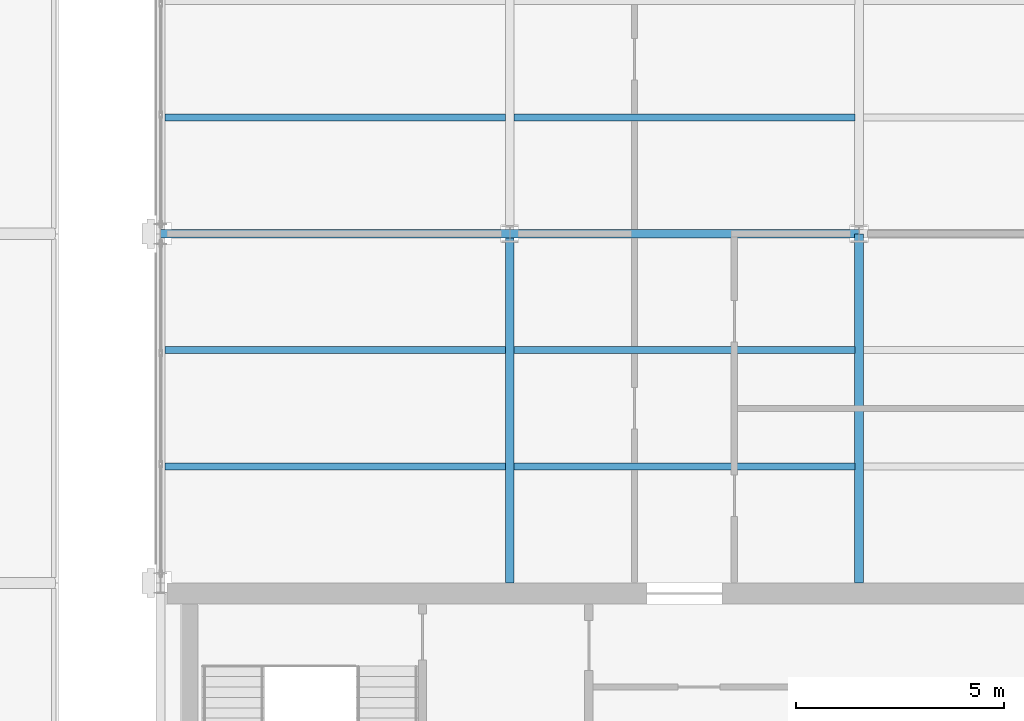
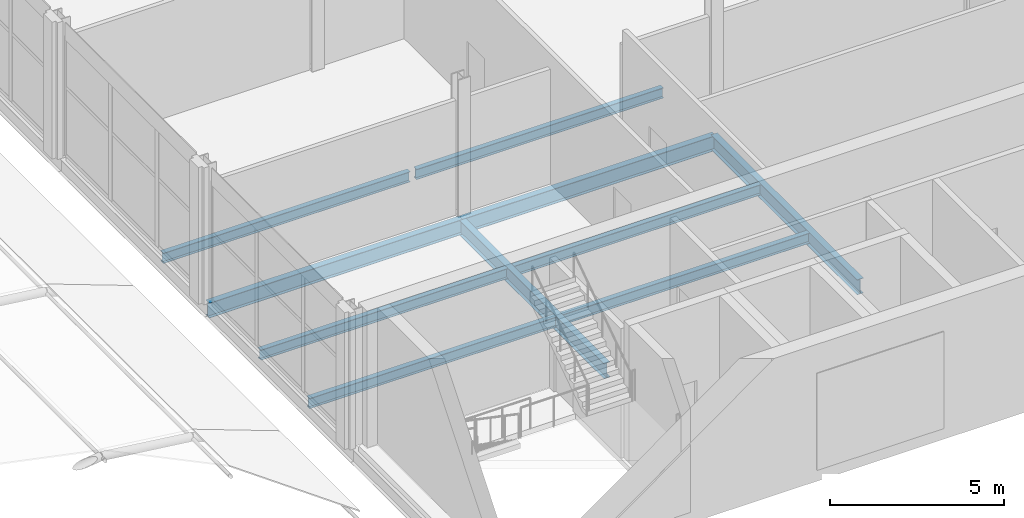
# One storey, part 119 of 167: 10 beams.
"""IFC4 building model written with IfcOpenShell, lengths in metres."""

import ifcopenshell
import ifcopenshell.guid

model = None  # the IFC model being written
_history = None  # IfcOwnerHistory: only IFC2X3 demands one
_inside = {}  # id of a spatial element -> (the spatial element, [elements in it])
_under = {}  # id of a project, library or spatial element -> (it, [spatial elements below it])
_declared = {}  # id of a project -> (the project, [libraries it declares])
_typed = {}  # id of a type object -> (the type object, [elements of that type])
_made_of = {}  # id of a material, layer set ... -> (it, [elements and type objects made of it])


def new_model(schema):
    """Start an empty IFC model of exactly this schema.

    Asked for "IFC4X3", IfcOpenShell would pick the latest addendum, in which some entities
    have other attributes; the version numbers below select the first issue.
    IFC2X3 requires an IfcOwnerHistory on every rooted entity: one is made here for all.
    """
    global model, _history
    if schema == "IFC4X3":
        model = ifcopenshell.file(schema_version=(4, 3, 0, 0))
    else:
        model = ifcopenshell.file(schema=schema)
    _inside.clear()
    _under.clear()
    _declared.clear()
    _typed.clear()
    _made_of.clear()
    _history = None
    if model.schema == "IFC2X3":
        org = make("IfcOrganization", Name="unknown")
        user = make(
            "IfcPersonAndOrganization",
            ThePerson=make("IfcPerson", FamilyName="unknown"),
            TheOrganization=org,
        )
        app = make(
            "IfcApplication",
            ApplicationDeveloper=org,
            Version="unknown",
            ApplicationFullName="unknown",
            ApplicationIdentifier="unknown",
        )
        _history = make(
            "IfcOwnerHistory",
            OwningUser=user,
            OwningApplication=app,
            ChangeAction="ADDED",
            CreationDate=0,
        )
    return model


def make(cls, **values):
    """One entity of the class cls with the attributes given. An attribute that is None is left unset."""
    return model.create_entity(
        cls, **{name: value for name, value in values.items() if value is not None}
    )


def rooted(cls, **values):
    """An entity with a GlobalId (a new one), such as an element, a storey or a relation."""
    return make(cls, GlobalId=ifcopenshell.guid.new(), OwnerHistory=_history, **values)


def si_unit(unit_type, name, prefix=None):
    """IfcSIUnit, for example si_unit("LENGTHUNIT", "METRE", prefix="MILLI")."""
    return make("IfcSIUnit", UnitType=unit_type, Prefix=prefix, Name=name)


def assignment(units):
    """IfcUnitAssignment: the units of a project."""
    return None if units is None else make("IfcUnitAssignment", Units=units)


def point(xyz):
    """IfcCartesianPoint."""
    return None if xyz is None else make("IfcCartesianPoint", Coordinates=xyz)


def direction(xyz):
    """IfcDirection."""
    return None if xyz is None else make("IfcDirection", DirectionRatios=xyz)


def frame(location, z_axis=None, x_axis=None):
    """IfcAxis2Placement3D, a coordinate frame: its origin and axes. An axis left out is left unset."""
    return make(
        "IfcAxis2Placement3D",
        Location=point(location),
        Axis=direction(z_axis),
        RefDirection=direction(x_axis),
    )


def frame_2d(location, x_axis=None):
    """IfcAxis2Placement2D, a coordinate frame in the plane: its origin and x axis."""
    return make(
        "IfcAxis2Placement2D", Location=point(location), RefDirection=direction(x_axis)
    )


def origin():
    """The frame at (0, 0, 0) with its axes left unset."""
    return frame((0.0, 0.0, 0.0))


def origin_2d():
    """The frame at (0, 0) in the plane with its x axis left unset."""
    return frame_2d((0.0, 0.0))


def place(relative_to, where):
    """IfcLocalPlacement: puts the frame where relative to a parent placement (None: the world)."""
    return make(
        "IfcLocalPlacement", PlacementRelTo=relative_to, RelativePlacement=where
    )


def context(
    kind, dimensions, precision=None, world=None, true_north=None, identifier=None
):
    """IfcGeometricRepresentationContext, for example the 3D "Model" context."""
    return make(
        "IfcGeometricRepresentationContext",
        ContextIdentifier=identifier,
        ContextType=kind,
        CoordinateSpaceDimension=dimensions,
        Precision=precision,
        WorldCoordinateSystem=world,
        TrueNorth=true_north,
    )


def subcontext(parent, identifier, kind, view, scale=None):
    """IfcGeometricRepresentationSubContext, for example "Body" below "Model"."""
    return make(
        "IfcGeometricRepresentationSubContext",
        ContextIdentifier=identifier,
        ContextType=kind,
        ParentContext=parent,
        TargetScale=scale,
        TargetView=view,
    )


def project(units=None, contexts=None):
    """IfcProject with its units and contexts."""
    return rooted(
        "IfcProject",
        Name="project",
        RepresentationContexts=contexts,
        UnitsInContext=assignment(units),
    )


def spatial(cls, under=None, at=None, **own):
    """A site, building, storey or space (cls), placed at a placement, below another one or the project."""
    s = rooted(cls, ObjectPlacement=at, **own)
    if under is not None:
        _under.setdefault(under.id(), (under, []))[1].append(s)
    return s


def profile(cls, at=None, kind="AREA", **sizes):
    """A parametric profile (cls). Its sizes go by their IFC names, for example OverallWidth=200.0."""
    return make(cls, ProfileType=kind, Position=at, **sizes)


def i_section(**sizes):
    """IfcIShapeProfileDef."""
    return profile("IfcIShapeProfileDef", **sizes)


def extrude(swept, where, along, depth):
    """IfcExtrudedAreaSolid: the profile swept, set in the frame where, extruded along a direction by depth."""
    return make(
        "IfcExtrudedAreaSolid",
        SweptArea=swept,
        Position=where,
        ExtrudedDirection=direction(along),
        Depth=depth,
    )


def shape(context_of_items, identifier, shape_type, items):
    """IfcShapeRepresentation: the items that make up one representation, for example the "Body"."""
    return make(
        "IfcShapeRepresentation",
        ContextOfItems=context_of_items,
        RepresentationIdentifier=identifier,
        RepresentationType=shape_type,
        Items=items,
    )


def material(Name=None, Category=None):
    """IfcMaterial."""
    return make("IfcMaterial", Name=Name, Category=Category)


def material_profile(
    of_material, cross_section, Name=None, Category=None, Priority=None
):
    """IfcMaterialProfile: a cross section and its material."""
    return make(
        "IfcMaterialProfile",
        Name=Name,
        Material=of_material,
        Profile=cross_section,
        Priority=Priority,
        Category=Category,
    )


def profile_set(profiles, Name=None, composite=None):
    """IfcMaterialProfileSet."""
    return make(
        "IfcMaterialProfileSet",
        Name=Name,
        MaterialProfiles=profiles,
        CompositeProfile=composite,
    )


def made_of(thing, what):
    """Note that an element or type object is made of a material, layer set ...; save() writes the relation."""
    if what is not None:
        _made_of.setdefault(what.id(), (what, []))[1].append(thing)
    return thing


def type_object(cls, material=None, **own):
    """A type object (cls), such as IfcWallType, which elements share."""
    return made_of(rooted(cls, **own), material)


def element(
    cls,
    number,
    at=None,
    inside=None,
    cuts=None,
    type_object=None,
    material=None,
    context=None,
    identifier="Body",
    shape_type=None,
    held_by="IfcProductDefinitionShape",
    body=None,
    shapes=None,
    **own,
):
    """One element of the class cls, such as IfcWall. Its Tag is "e" and its number.

    at: its placement. inside: the storey or other place that contains it. cuts: it is an
    opening in that element (IfcRelVoidsElement). A single representation is given by context,
    identifier, shape_type and body (its items); several are given by shapes. held_by: the class
    of the entity that holds the representations. save() writes the other relations.
    """
    e = rooted(cls, Tag="e%d" % number, ObjectPlacement=at, **own)
    if body is not None:
        shapes = [shape(context, identifier, shape_type, body)]
    if shapes is not None:
        e.Representation = make(held_by, Representations=shapes)
    if inside is not None:
        _inside.setdefault(inside.id(), (inside, []))[1].append(e)
    if cuts is not None:
        rooted(
            "IfcRelVoidsElement", RelatingBuildingElement=cuts, RelatedOpeningElement=e
        )
    if type_object is not None:
        _typed.setdefault(type_object.id(), (type_object, []))[1].append(e)
    return made_of(e, material)


def aggregate(whole, parts):
    """IfcRelAggregates: a whole, such as a stair, and the parts it consists of."""
    return rooted("IfcRelAggregates", RelatingObject=whole, RelatedObjects=parts)


def save(model, path):
    """Write the relations noted so far, then the file.

    IfcRelAggregates (storeys below a building ...), IfcRelContainedInSpatialStructure (elements
    in a storey), IfcRelDefinesByType, IfcRelAssociatesMaterial and IfcRelDeclares: one each for
    every whole, place, type object, material and project.
    """
    for whole, parts in _under.values():
        aggregate(whole, parts)
    for where, things in _inside.values():
        rooted(
            "IfcRelContainedInSpatialStructure",
            RelatedElements=things,
            RelatingStructure=where,
        )
    for kind, things in _typed.values():
        rooted("IfcRelDefinesByType", RelatedObjects=things, RelatingType=kind)
    for what, things in _made_of.values():
        rooted("IfcRelAssociatesMaterial", RelatedObjects=things, RelatingMaterial=what)
    for by, libraries in _declared.values():
        rooted("IfcRelDeclares", RelatingContext=by, RelatedDefinitions=libraries)
    model.write(path)


model = new_model("IFC4")

# Units and contexts
model_context = context("Model", 3, precision=1e-05, world=origin(), true_north=direction((0.0, 1.0)))
body_context = subcontext(model_context, "Body", "Model", "MODEL_VIEW")
ifc_project = project(units=[si_unit("LENGTHUNIT", "METRE"), si_unit("AREAUNIT", "SQUARE_METRE"), si_unit("VOLUMEUNIT", "CUBIC_METRE"), si_unit("PLANEANGLEUNIT", "RADIAN"), si_unit("MASSUNIT", "GRAM", prefix="KILO")], contexts=[model_context])

# Site, building, storey
site_placement = place(None, origin())
site = spatial("IfcSite", under=ifc_project, at=site_placement, CompositionType="ELEMENT")
building_placement = place(site_placement, origin())
building = spatial("IfcBuilding", under=site, at=building_placement, Name="Catenary Quay Ferry Terminal", CompositionType="ELEMENT")
storey_placement = place(building_placement, frame((0.0, 0.0, 6.0)))
storey = spatial("IfcBuildingStorey", under=building, at=storey_placement, Name="L01", CompositionType="ELEMENT", Elevation=6.0)

# Beams
ifc_material_1 = material(Name="Steel S355", Category="steel")
ifc_material_profile_1 = material_profile(ifc_material_1, i_section(OverallWidth=0.208740234375, OverallDepth=0.5283203125, WebThickness=0.009521484375, FlangeThickness=0.01318359375, at=origin_2d()), Name="UB 533x210x82")
ifc_profile_set_1 = profile_set([ifc_material_profile_1], Name="Steel S355")
beam_type_1 = type_object("IfcBeamType", Name="B5 UB 533x210x82", PredefinedType="BEAM", material=ifc_profile_set_1)
beam_1_placement = place(storey_placement, frame((25.199951171875, 176.39990234375, -0.464111328125), z_axis=(1.0, 0.0, 0.0), x_axis=(0.0, 1.0, 0.0)))
element("IfcBeam", 1, at=beam_1_placement, inside=storey, type_object=beam_type_1, Name="Beam B5-005", PredefinedType="BEAM", context=body_context, shape_type="SweptSolid", body=[
    extrude(i_section(OverallWidth=0.208740234375, OverallDepth=0.5283203125, WebThickness=0.009521484375, FlangeThickness=0.01318359375, at=origin_2d()), origin(), (0.0, 0.0, 1.0), 8.400146484375),
])
for number, where, z_axis, x_axis, name in (
    (2, (33.60009765625, 176.39990234375, -0.464111328125), (1.0, 0.0, 0.0), (0.0, 1.0, 0.0), "Beam B5-006"),
    (3, (33.60009765625, 168.0, -0.464111328125), (0.0, 1.0, 0.0), (-1.0, 0.0, 0.0), "Beam B5-028"),
    (4, (42.0, 168.0, -0.464111328125), (0.0, 1.0, 0.0), (-1.0, 0.0, 0.0), "Beam B5-033"),
):
    element("IfcBeam", number, at=place(storey_placement, frame(where, z_axis=z_axis, x_axis=x_axis)), inside=storey, type_object=beam_type_1, Name=name, PredefinedType="BEAM", context=body_context, shape_type="SweptSolid", body=[
        extrude(i_section(OverallWidth=0.208740234375, OverallDepth=0.5283203125, WebThickness=0.009521484375, FlangeThickness=0.01318359375, at=origin_2d()), origin(), (0.0, 0.0, 1.0), 8.39990234375),
    ])
ifc_material_2 = material(Name="Steel S355", Category="steel")
ifc_material_profile_2 = material_profile(ifc_material_2, i_section(OverallWidth=0.169921875, OverallDepth=0.360107421875, WebThickness=0.008056640625, FlangeThickness=0.0126953125, at=origin_2d()), Name="IPE 360")
ifc_profile_set_2 = profile_set([ifc_material_profile_2], Name="Steel S355")
beam_type_2 = type_object("IfcBeamType", Name="B7 IPE 360", PredefinedType="BEAM", material=ifc_profile_set_2)
beam_2_placement = place(storey_placement, frame((25.303955078125, 170.800048828125, -0.3798828125), z_axis=(1.0, 0.0, 0.0), x_axis=(0.0, 1.0, 0.0)))
element("IfcBeam", 5, at=beam_2_placement, inside=storey, type_object=beam_type_2, Name="Beam B7-029", PredefinedType="BEAM", context=body_context, shape_type="SweptSolid", body=[
    extrude(i_section(OverallWidth=0.169921875, OverallDepth=0.360107421875, WebThickness=0.008056640625, FlangeThickness=0.0126953125, at=origin_2d()), origin(), (0.0, 0.0, 1.0), 8.192138671875),
])
beam_3_placement = place(storey_placement, frame((33.7041015625, 170.800048828125, -0.3798828125), z_axis=(1.0, 0.0, 0.0), x_axis=(0.0, 1.0, 0.0)))
element("IfcBeam", 6, at=beam_3_placement, inside=storey, type_object=beam_type_2, Name="Beam B7-030", PredefinedType="BEAM", context=body_context, shape_type="SweptSolid", body=[
    extrude(i_section(OverallWidth=0.169921875, OverallDepth=0.360107421875, WebThickness=0.008056640625, FlangeThickness=0.0126953125, at=origin_2d()), origin(), (0.0, 0.0, 1.0), 8.19189453125),
])
beam_4_placement = place(storey_placement, frame((25.303955078125, 173.60009765625, -0.3798828125), z_axis=(1.0, 0.0, 0.0), x_axis=(0.0, 1.0, 0.0)))
element("IfcBeam", 7, at=beam_4_placement, inside=storey, type_object=beam_type_2, Name="Beam B7-034", PredefinedType="BEAM", context=body_context, shape_type="SweptSolid", body=[
    extrude(i_section(OverallWidth=0.169921875, OverallDepth=0.360107421875, WebThickness=0.008056640625, FlangeThickness=0.0126953125, at=origin_2d()), origin(), (0.0, 0.0, 1.0), 8.192138671875),
])
beam_5_placement = place(storey_placement, frame((33.7041015625, 173.60009765625, -0.3798828125), z_axis=(1.0, 0.0, 0.0), x_axis=(0.0, 1.0, 0.0)))
element("IfcBeam", 8, at=beam_5_placement, inside=storey, type_object=beam_type_2, Name="Beam B7-035", PredefinedType="BEAM", context=body_context, shape_type="SweptSolid", body=[
    extrude(i_section(OverallWidth=0.169921875, OverallDepth=0.360107421875, WebThickness=0.008056640625, FlangeThickness=0.0126953125, at=origin_2d()), origin(), (0.0, 0.0, 1.0), 8.19189453125),
])
beam_6_placement = place(storey_placement, frame((25.303955078125, 179.199951171875, -0.3798828125), z_axis=(1.0, 0.0, 0.0), x_axis=(0.0, 1.0, 0.0)))
element("IfcBeam", 9, at=beam_6_placement, inside=storey, type_object=beam_type_2, Name="Beam B7-039", PredefinedType="BEAM", context=body_context, shape_type="SweptSolid", body=[
    extrude(i_section(OverallWidth=0.169921875, OverallDepth=0.360107421875, WebThickness=0.008056640625, FlangeThickness=0.0126953125, at=origin_2d()), origin(), (0.0, 0.0, 1.0), 8.192138671875),
])
beam_7_placement = place(storey_placement, frame((33.7041015625, 179.199951171875, -0.3798828125), z_axis=(1.0, 0.0, 0.0), x_axis=(0.0, 1.0, 0.0)))
element("IfcBeam", 10, at=beam_7_placement, inside=storey, type_object=beam_type_2, Name="Beam B7-040", PredefinedType="BEAM", context=body_context, shape_type="SweptSolid", body=[
    extrude(i_section(OverallWidth=0.169921875, OverallDepth=0.360107421875, WebThickness=0.008056640625, FlangeThickness=0.0126953125, at=origin_2d()), origin(), (0.0, 0.0, 1.0), 8.19189453125),
])

save(model, "model.ifc")
